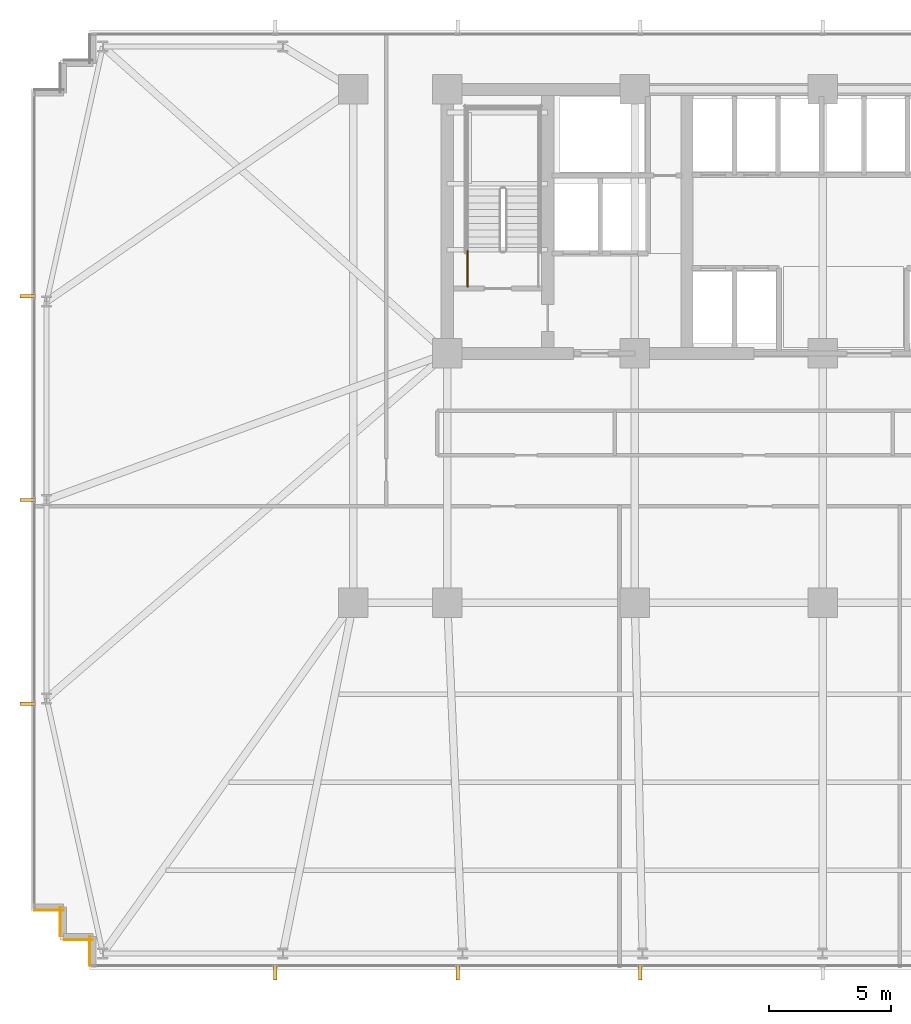
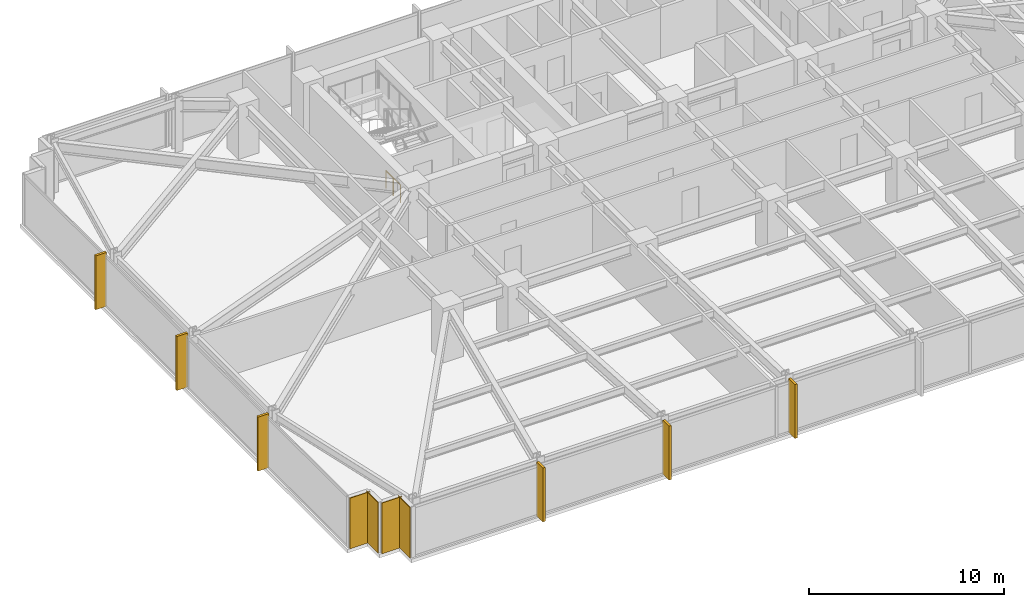
# One storey, part 27 of 33: 6 shading devices, 4 coverings, 1 railing.
"""IFC4 building model written with IfcOpenShell, lengths in metres."""

from ifc_helpers import new_model, si_unit, direction, frame, frame_2d, origin, origin_2d, place, context, subcontext, project, spatial, rectangle, circle, extrude, material, layer, layer_set, type_object, element, save


model = new_model("IFC4")

# Units and contexts
model_context = context("Model", 3, precision=1e-05, world=origin(), true_north=direction((0.0, 1.0)))
body_context = subcontext(model_context, "Body", "Model", "MODEL_VIEW")
ifc_project = project(units=[si_unit("LENGTHUNIT", "METRE"), si_unit("AREAUNIT", "SQUARE_METRE"), si_unit("VOLUMEUNIT", "CUBIC_METRE"), si_unit("PLANEANGLEUNIT", "RADIAN"), si_unit("MASSUNIT", "GRAM", prefix="KILO")], contexts=[model_context])

# Site, building, storey
site_placement = place(None, origin())
site = spatial("IfcSite", under=ifc_project, at=site_placement, CompositionType="ELEMENT")
building_placement = place(site_placement, origin())
building = spatial("IfcBuilding", under=site, at=building_placement, Name="Yelkora Congress Tower", CompositionType="ELEMENT")
storey_placement = place(building_placement, frame((0.0, 0.0, 64.39990234375)))
storey = spatial("IfcBuildingStorey", under=building, at=storey_placement, Name="L16", CompositionType="ELEMENT", Elevation=64.39990234375)

# Coverings
ifc_material_1 = material(Name="Anatolian bush-hammered limestone", Category="masonry")
ifc_layer_1 = layer(ifc_material_1, 0.0400390625)
ifc_layer_set_1 = layer_set([ifc_layer_1], Name="Anatolian bush-hammered limestone")
covering_type = type_object("IfcCoveringType", Name="COV-CLAD-SPANDREL-40", PredefinedType="CLADDING", material=ifc_layer_set_1)
for number, where, z_axis, x_axis, name in (
    (1, (8.405029296875, 10.340087890625, 0.0), (0.0, 0.0, 1.0), (0.0, 1.0, 0.0), "L16 Anatolian Limestone Cladding EW-L16-SR01"),
    (2, (8.5400390625, 11.405029296875, 0.0), (0.0, 0.0, 1.0), (-1.0, 0.0, 0.0), "L16 Anatolian Limestone Cladding EW-L16-SR02"),
    (3, (7.205078125, 11.5400390625, 0.0), (0.0, 0.0, 1.0), (0.0, 1.0, 0.0), "L16 Anatolian Limestone Cladding EW-L16-SR03"),
):
    element("IfcCovering", number, at=place(storey_placement, frame(where, z_axis=z_axis, x_axis=x_axis)), inside=storey, type_object=covering_type, Name=name, PredefinedType="CLADDING", context=body_context, shape_type="SweptSolid", body=[
        extrude(rectangle(XDim=1.199951171875, YDim=0.0400390625, at=frame_2d((0.60009765625, 0.0))), origin(), (0.0, 0.0, 1.0), 3.18017578125),
    ])
covering_placement = place(storey_placement, frame((7.340087890625, 12.60498046875, 0.0), z_axis=(0.0, 0.0, 1.0), x_axis=(-1.0, 0.0, 0.0)))
element("IfcCovering", 4, at=covering_placement, inside=storey, type_object=covering_type, Name="L16 Anatolian Limestone Cladding EW-L16-SR04", PredefinedType="CLADDING", context=body_context, shape_type="SweptSolid", body=[
    extrude(rectangle(XDim=1.2001953125, YDim=0.0400390625, at=frame_2d((0.60009765625, 0.0))), origin(), (0.0, 0.0, 1.0), 3.18017578125),
])

# Railing
ifc_material_2 = material(Name="Painted galvanised steel stair well guard with vertical infill", Category="steel")
ifc_layer_2 = layer(ifc_material_2, 0.06005859375)
ifc_layer_set_2 = layer_set([ifc_layer_2], Name="Painted galvanised steel stair well guard with vertical infill")
railing_type = type_object("IfcRailingType", Name="RAIL-STAIR-GUARD-1120", PredefinedType="GUARDRAIL", material=ifc_layer_set_2)
railing_placement = place(storey_placement, frame((23.8701171875, 38.1201171875, 0.0)))
element("IfcRailing", 5, at=railing_placement, inside=storey, type_object=railing_type, Name="ST-01 L16 Stair Well Guardrail 9", PredefinedType="GUARDRAIL", context=body_context, shape_type="SweptSolid", body=[
    extrude(circle(Radius=0.02392578125, at=origin_2d()), frame((0.0, 0.0, 1.09619140625), z_axis=(0.0, 1.0, 0.0), x_axis=(-1.0, 0.0, 0.0)), (0.0, 0.0, 1.0), 1.47998046875),
    extrude(circle(Radius=0.02099609375, at=origin_2d()), origin(), (0.0, 0.0, 1.0), 1.072021484375),
    extrude(circle(Radius=0.02099609375, at=origin_2d()), frame((0.0, 0.739990234375, 0.0)), (0.0, 0.0, 1.0), 1.072021484375),
    extrude(circle(Radius=0.02099609375, at=origin_2d()), frame((0.0, 1.47998046875, 0.0)), (0.0, 0.0, 1.0), 1.072021484375),
])

# Shading devices
ifc_material_3 = material(Name="Champagne anodised aluminium", Category="aluminium")
ifc_layer_3 = layer(ifc_material_3, 3.39990234375)
ifc_layer_set_3 = layer_set([ifc_layer_3], Name="Champagne anodised aluminium")
shading_device_type = type_object("IfcShadingDeviceType", Name="SHD-FIN-ALU-640", PredefinedType="USERDEFINED", material=ifc_layer_set_3)
for number, where, z_axis, x_axis, name in (
    (6, (5.8798828125, 21.070068359375, -0.02978515625), (0.0, 0.0, 1.0), (0.0, 1.0, 0.0), "L16 Vertical Anodised Solar Fin 5-1"),
    (7, (5.8798828125, 29.39990234375, -0.02978515625), (0.0, 0.0, 1.0), (0.0, 1.0, 0.0), "L16 Vertical Anodised Solar Fin 5-2"),
    (8, (5.8798828125, 37.72998046875, -0.02978515625), (0.0, 0.0, 1.0), (0.0, 1.0, 0.0), "L16 Vertical Anodised Solar Fin 5-3"),
    (9, (30.93505859375, 10.080078125, -0.02978515625), (0.0, 0.0, 1.0), (-1.0, 0.0, 0.0), "L16 Vertical Anodised Solar Fin 20-5"),
    (10, (23.469970703125, 10.080078125, -0.02978515625), (0.0, 0.0, 1.0), (-1.0, 0.0, 0.0), "L16 Vertical Anodised Solar Fin 20-6"),
    (11, (16.0048828125, 10.080078125, -0.02978515625), (0.0, 0.0, 1.0), (-1.0, 0.0, 0.0), "L16 Vertical Anodised Solar Fin 20-7"),
):
    element("IfcShadingDevice", number, at=place(storey_placement, frame(where, z_axis=z_axis, x_axis=x_axis)), inside=storey, type_object=shading_device_type, Name=name, ObjectType="FIN", PredefinedType="USERDEFINED", context=body_context, shape_type="SweptSolid", body=[
        extrude(rectangle(XDim=0.139892578125, YDim=0.639892578125, at=origin_2d()), origin(), (0.0, 0.0, 1.0), 3.3798828125),
    ])

save(model, "model.ifc")
